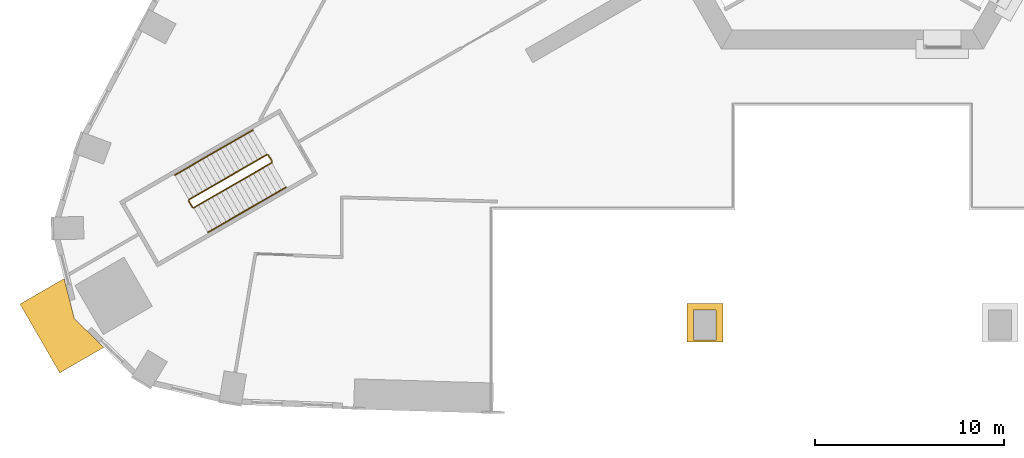
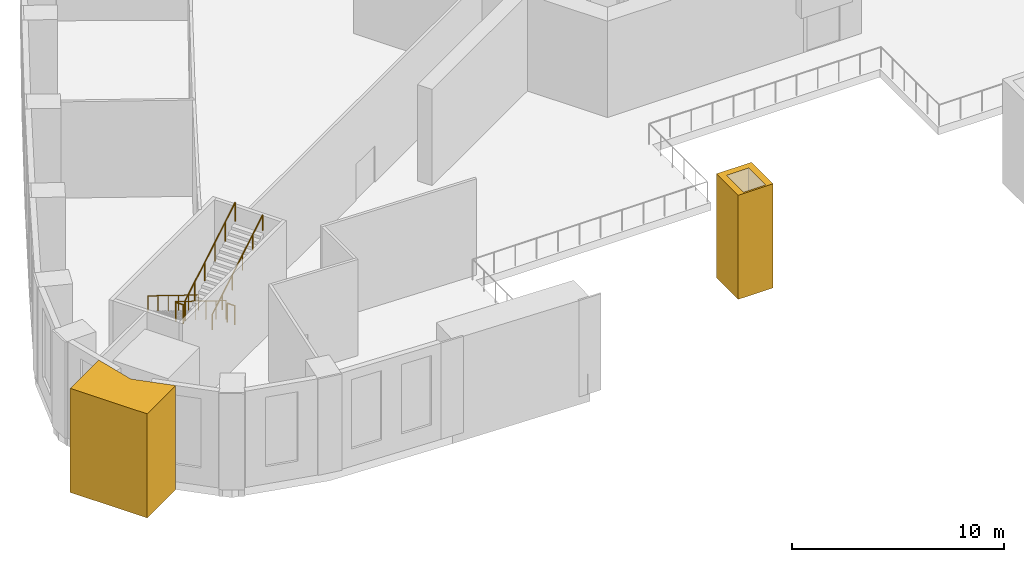
# One storey, part 11 of 15: 6 railings, 2 coverings.
"""IFC4 building model written with IfcOpenShell, lengths in metres."""

from ifc_helpers import new_model, si_unit, direction, frame, origin, origin_2d, place, context, subcontext, project, spatial, polyline, circle, outline, extrude, material, type_object, element, save


model = new_model("IFC4")

# Units and contexts
model_context = context("Model", 3, precision=1e-05, world=origin(), true_north=direction((0.0, 1.0)))
body_context = subcontext(model_context, "Body", "Model", "MODEL_VIEW")
ifc_project = project(units=[si_unit("LENGTHUNIT", "METRE"), si_unit("AREAUNIT", "SQUARE_METRE"), si_unit("VOLUMEUNIT", "CUBIC_METRE"), si_unit("PLANEANGLEUNIT", "RADIAN"), si_unit("MASSUNIT", "GRAM", prefix="KILO")], contexts=[model_context])

# Site, building, storey
site_placement = place(None, origin())
site = spatial("IfcSite", under=ifc_project, at=site_placement, CompositionType="ELEMENT")
building_placement = place(site_placement, origin())
building = spatial("IfcBuilding", under=site, at=building_placement, Name="Entoto Arch Interchange Tower", CompositionType="ELEMENT")
storey_placement = place(building_placement, frame((0.0, 0.0, 9.0)))
storey = spatial("IfcBuildingStorey", under=building, at=storey_placement, Name="L01", CompositionType="ELEMENT", Elevation=9.0)

# Coverings
ifc_material_1 = material(Name="Board-marked precast concrete C50/60", Category="concrete")
covering_type = type_object("IfcCoveringType", Name="PRECAST FRAME COURSE", PredefinedType="CLADDING", material=ifc_material_1)
covering_1_placement = place(storey_placement, frame((0.0, 0.0, -0.449951171875)))
element("IfcCovering", 1, at=covering_1_placement, inside=storey, type_object=covering_type, Name="Podium corner pier SW L01", PredefinedType="CLADDING", context=body_context, shape_type="SweptSolid", body=[
    extrude(outline(polyline([(-44.01611328125, -22.987060546875), (-41.679931640625, -21.638916015625), (-41.14697265625, -23.756103515625), (-39.580078125, -25.27587890625), (-41.916015625, -26.625), (-44.01611328125, -22.987060546875)])), origin(), (0.0, 0.0, 1.0), 6.0),
])
covering_2_placement = place(storey_placement, frame((0.0, 0.0, -0.449951171875)))
element("IfcCovering", 2, at=covering_2_placement, inside=storey, type_object=covering_type, Name="Gate pier L01", PredefinedType="CLADDING", context=body_context, shape_type="SweptSolid", body=[
    extrude(outline(polyline([(-8.75, -22.949951171875), (-6.85009765625, -22.949951171875), (-6.85009765625, -24.9990234375), (-8.75, -24.9990234375), (-8.75, -22.949951171875)]), holes=[polyline([(-8.39990234375, -23.300048828125), (-8.39990234375, -24.89990234375), (-7.199951171875, -24.89990234375), (-7.199951171875, -23.300048828125), (-8.39990234375, -23.300048828125)])]), origin(), (0.0, 0.0, 1.0), 6.0),
])

# Railings
ifc_material_2 = material(Name="Stainless steel 1.4301", Category="steel")
railing_type_1 = type_object("IfcRailingType", Name="STAIR GUARD 1100 STEEL", PredefinedType="GUARDRAIL", material=ifc_material_2)
railing_1_placement = place(storey_placement, frame((-30.95556640625, -15.08349609375, 0.166748046875)))
element("IfcRailing", 3, at=railing_1_placement, inside=storey, type_object=railing_type_1, Name="L01 PST-SW stair guard 1", PredefinedType="GUARDRAIL", context=body_context, shape_type="SweptSolid", body=[
    extrude(circle(Radius=0.02392578125, at=origin_2d()), frame((0.0, 0.0, 1.076171875), z_axis=(-0.744170432188, -0.42966642247, 0.511465671634), x_axis=(0.5000169524, -0.866015616091, 0.0)), (0.0, 0.0, 1.0), 5.53955078125),
    extrude(circle(Radius=0.02099609375, at=origin_2d()), origin(), (0.0, 0.0, 1.0), 1.052001953125),
    extrude(circle(Radius=0.02099609375, at=origin_2d()), frame((-0.824462890625, -0.47607421875, 0.566650390625)), (0.0, 0.0, 1.0), 1.052001953125),
    extrude(circle(Radius=0.02099609375, at=origin_2d()), frame((-1.64892578125, -0.9521484375, 1.13330078125)), (0.0, 0.0, 1.0), 1.052001953125),
    extrude(circle(Radius=0.02099609375, at=origin_2d()), frame((-2.473388671875, -1.427978515625, 1.699951171875)), (0.0, 0.0, 1.0), 1.052001953125),
    extrude(circle(Radius=0.02099609375, at=origin_2d()), frame((-3.2978515625, -1.904052734375, 2.2666015625)), (0.0, 0.0, 1.0), 1.052001953125),
    extrude(circle(Radius=0.02099609375, at=origin_2d()), frame((-4.122314453125, -2.380126953125, 2.833251953125)), (0.0, 0.0, 1.0), 1.052001953125),
])
railing_2_placement = place(storey_placement, frame((-35.09619140625, -17.53173828125, 3.0)))
element("IfcRailing", 4, at=railing_2_placement, inside=storey, type_object=railing_type_1, Name="L01 PST-SW stair guard 2", PredefinedType="GUARDRAIL", context=body_context, shape_type="SweptSolid", body=[
    extrude(circle(Radius=0.02392578125, at=origin_2d()), frame((0.0, 0.0, 1.076171875), z_axis=(0.499880961361, -0.866094119867, 0.0), x_axis=(0.866094119867, 0.499880961361, 0.0)), (0.0, 0.0, 1.0), 0.39990234375),
    extrude(circle(Radius=0.02099609375, at=origin_2d()), origin(), (0.0, 0.0, 1.0), 1.052001953125),
    extrude(circle(Radius=0.02099609375, at=origin_2d()), frame((0.199951171875, -0.346435546875, 0.0)), (0.0, 0.0, 1.0), 1.052001953125),
])
railing_3_placement = place(storey_placement, frame((-34.827880859375, -17.896484375, 3.166748046875)))
element("IfcRailing", 5, at=railing_3_placement, inside=storey, type_object=railing_type_1, Name="L01 PST-SW stair guard 3", PredefinedType="GUARDRAIL", context=body_context, shape_type="SweptSolid", body=[
    extrude(circle(Radius=0.02392578125, at=origin_2d()), frame((0.0, 0.0, 1.076171875), z_axis=(0.744184523948, 0.429630485013, 0.51147535685), x_axis=(-0.499978485002, 0.866037825118, 0.0)), (0.0, 0.0, 1.0), 5.539306640625),
    extrude(circle(Radius=0.02099609375, at=origin_2d()), origin(), (0.0, 0.0, 1.0), 1.052001953125),
    extrude(circle(Radius=0.02099609375, at=origin_2d()), frame((0.824462890625, 0.47607421875, 0.566650390625)), (0.0, 0.0, 1.0), 1.052001953125),
    extrude(circle(Radius=0.02099609375, at=origin_2d()), frame((1.64892578125, 0.951904296875, 1.13330078125)), (0.0, 0.0, 1.0), 1.052001953125),
    extrude(circle(Radius=0.02099609375, at=origin_2d()), frame((2.473388671875, 1.427978515625, 1.699951171875)), (0.0, 0.0, 1.0), 1.052001953125),
    extrude(circle(Radius=0.02099609375, at=origin_2d()), frame((3.2978515625, 1.90380859375, 2.2666015625)), (0.0, 0.0, 1.0), 1.052001953125),
    extrude(circle(Radius=0.02099609375, at=origin_2d()), frame((4.122314453125, 2.3798828125, 2.833251953125)), (0.0, 0.0, 1.0), 1.052001953125),
])
railing_4_placement = place(storey_placement, frame((-30.88720703125, -15.101806640625, 0.0)))
element("IfcRailing", 6, at=railing_4_placement, inside=storey, type_object=railing_type_1, Name="L01 PST-SW stair guard 4", PredefinedType="GUARDRAIL", context=body_context, shape_type="SweptSolid", body=[
    extrude(circle(Radius=0.02392578125, at=origin_2d()), frame((0.0, 0.0, 1.076171875), z_axis=(0.499880961361, -0.866094119867, 0.0), x_axis=(0.866094119867, 0.499880961361, 0.0)), (0.0, 0.0, 1.0), 0.39990234375),
    extrude(circle(Radius=0.02099609375, at=origin_2d()), origin(), (0.0, 0.0, 1.0), 1.052001953125),
    extrude(circle(Radius=0.02099609375, at=origin_2d()), frame((0.199951171875, -0.346435546875, 0.0)), (0.0, 0.0, 1.0), 1.052001953125),
])
railing_type_2 = type_object("IfcRailingType", Name="STAIR HANDRAIL 900 STEEL", PredefinedType="HANDRAIL", material=ifc_material_2)
railing_5_placement = place(storey_placement, frame((-31.70556640625, -13.784423828125, 0.166748046875)))
element("IfcRailing", 7, at=railing_5_placement, inside=storey, type_object=railing_type_2, Name="L01 PST-SW stair handrail 1", PredefinedType="HANDRAIL", context=body_context, shape_type="SweptSolid", body=[
    extrude(circle(Radius=0.02392578125, at=origin_2d()), frame((0.0, 0.0, 0.8759765625), z_axis=(-0.744170432188, -0.42966642247, 0.511465671634), x_axis=(0.5000169524, -0.866015616091, 0.0)), (0.0, 0.0, 1.0), 5.53955078125),
    extrude(circle(Radius=0.02099609375, at=origin_2d()), origin(), (0.0, 0.0, 1.0), 0.851806640625),
    extrude(circle(Radius=0.02099609375, at=origin_2d()), frame((-0.824462890625, -0.47607421875, 0.566650390625)), (0.0, 0.0, 1.0), 0.851806640625),
    extrude(circle(Radius=0.02099609375, at=origin_2d()), frame((-1.64892578125, -0.9521484375, 1.13330078125)), (0.0, 0.0, 1.0), 0.851806640625),
    extrude(circle(Radius=0.02099609375, at=origin_2d()), frame((-2.473388671875, -1.427978515625, 1.699951171875)), (0.0, 0.0, 1.0), 0.851806640625),
    extrude(circle(Radius=0.02099609375, at=origin_2d()), frame((-3.2978515625, -1.904052734375, 2.2666015625)), (0.0, 0.0, 1.0), 0.851806640625),
    extrude(circle(Radius=0.02099609375, at=origin_2d()), frame((-4.122314453125, -2.380126953125, 2.833251953125)), (0.0, 0.0, 1.0), 0.851806640625),
])
railing_6_placement = place(storey_placement, frame((-34.077880859375, -19.195556640625, 3.166748046875)))
element("IfcRailing", 8, at=railing_6_placement, inside=storey, type_object=railing_type_2, Name="L01 PST-SW stair handrail 2", PredefinedType="HANDRAIL", context=body_context, shape_type="SweptSolid", body=[
    extrude(circle(Radius=0.02392578125, at=origin_2d()), frame((0.0, 0.0, 0.8759765625), z_axis=(0.744184523948, 0.429630485013, 0.51147535685), x_axis=(-0.499978485002, 0.866037825118, 0.0)), (0.0, 0.0, 1.0), 5.539306640625),
    extrude(circle(Radius=0.02099609375, at=origin_2d()), origin(), (0.0, 0.0, 1.0), 0.851806640625),
    extrude(circle(Radius=0.02099609375, at=origin_2d()), frame((0.824462890625, 0.47607421875, 0.566650390625)), (0.0, 0.0, 1.0), 0.851806640625),
    extrude(circle(Radius=0.02099609375, at=origin_2d()), frame((1.64892578125, 0.951904296875, 1.13330078125)), (0.0, 0.0, 1.0), 0.851806640625),
    extrude(circle(Radius=0.02099609375, at=origin_2d()), frame((2.473388671875, 1.427978515625, 1.699951171875)), (0.0, 0.0, 1.0), 0.851806640625),
    extrude(circle(Radius=0.02099609375, at=origin_2d()), frame((3.2978515625, 1.90380859375, 2.2666015625)), (0.0, 0.0, 1.0), 0.851806640625),
    extrude(circle(Radius=0.02099609375, at=origin_2d()), frame((4.122314453125, 2.3798828125, 2.833251953125)), (0.0, 0.0, 1.0), 0.851806640625),
])

save(model, "model.ifc")
